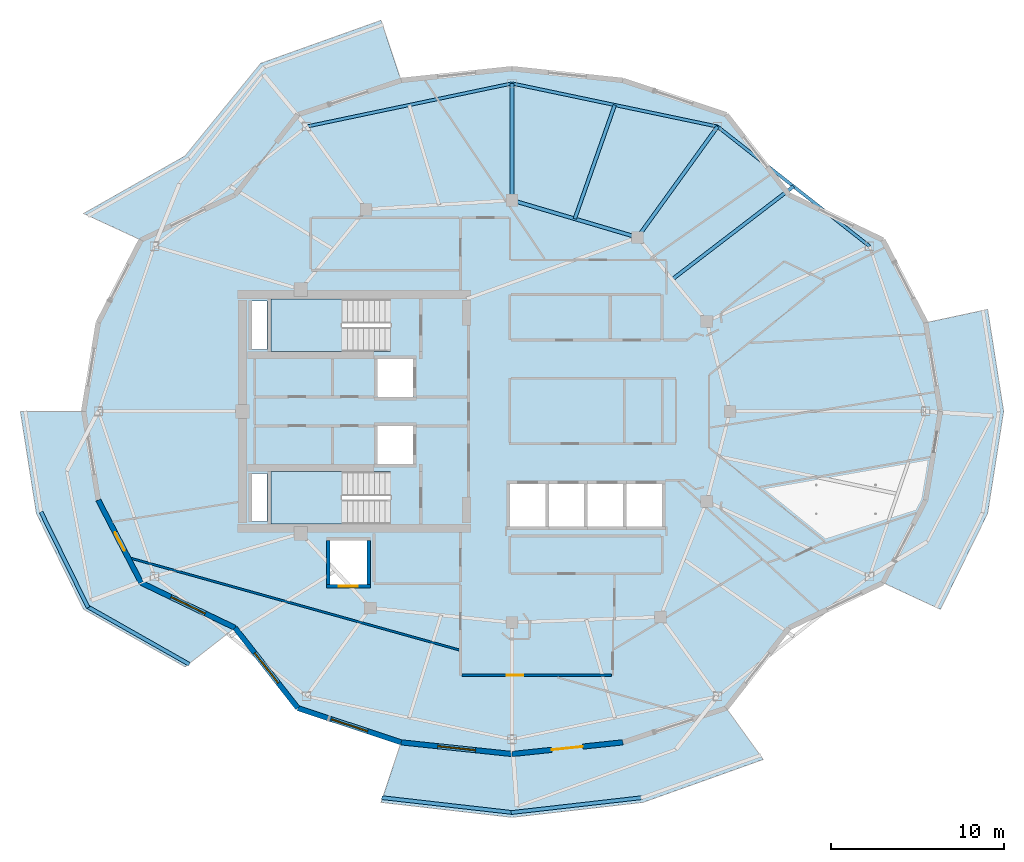
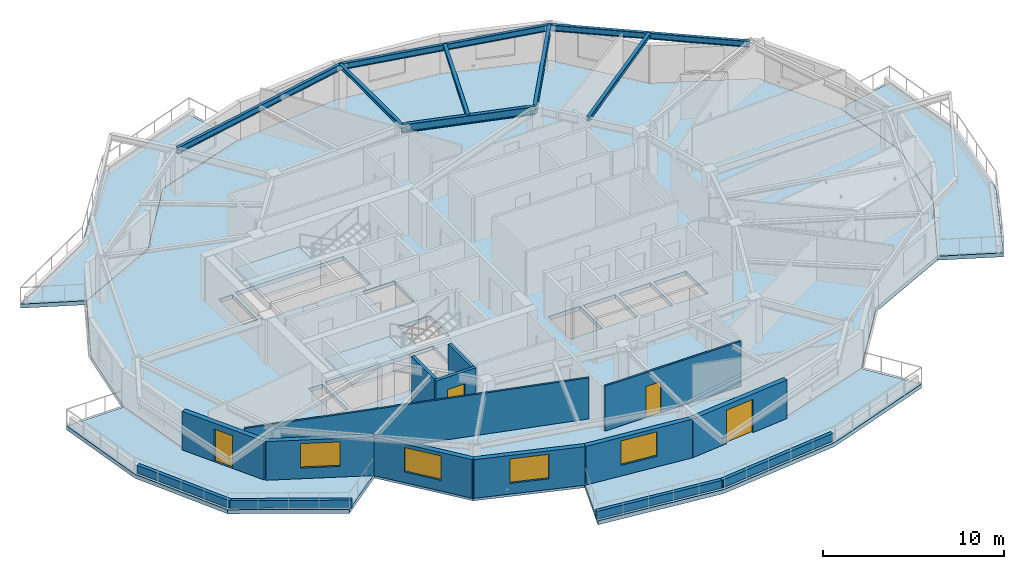
# One storey, part 2 of 14: 15 walls, 8 beams, 7 slabs, 4 doors, 4 windows, 8 openings, 2 elements without a shape of their own.
"""IFC4 building model written with IfcOpenShell, lengths in metres."""

import ifcopenshell
import ifcopenshell.guid

model = None  # the IFC model being written
_history = None  # IfcOwnerHistory: only IFC2X3 demands one
_inside = {}  # id of a spatial element -> (the spatial element, [elements in it])
_under = {}  # id of a project, library or spatial element -> (it, [spatial elements below it])
_declared = {}  # id of a project -> (the project, [libraries it declares])
_typed = {}  # id of a type object -> (the type object, [elements of that type])
_made_of = {}  # id of a material, layer set ... -> (it, [elements and type objects made of it])


def new_model(schema):
    """Start an empty IFC model of exactly this schema.

    Asked for "IFC4X3", IfcOpenShell would pick the latest addendum, in which some entities
    have other attributes; the version numbers below select the first issue.
    IFC2X3 requires an IfcOwnerHistory on every rooted entity: one is made here for all.
    """
    global model, _history
    if schema == "IFC4X3":
        model = ifcopenshell.file(schema_version=(4, 3, 0, 0))
    else:
        model = ifcopenshell.file(schema=schema)
    _inside.clear()
    _under.clear()
    _declared.clear()
    _typed.clear()
    _made_of.clear()
    _history = None
    if model.schema == "IFC2X3":
        org = make("IfcOrganization", Name="unknown")
        user = make(
            "IfcPersonAndOrganization",
            ThePerson=make("IfcPerson", FamilyName="unknown"),
            TheOrganization=org,
        )
        app = make(
            "IfcApplication",
            ApplicationDeveloper=org,
            Version="unknown",
            ApplicationFullName="unknown",
            ApplicationIdentifier="unknown",
        )
        _history = make(
            "IfcOwnerHistory",
            OwningUser=user,
            OwningApplication=app,
            ChangeAction="ADDED",
            CreationDate=0,
        )
    return model


def make(cls, **values):
    """One entity of the class cls with the attributes given. An attribute that is None is left unset."""
    return model.create_entity(
        cls, **{name: value for name, value in values.items() if value is not None}
    )


def rooted(cls, **values):
    """An entity with a GlobalId (a new one), such as an element, a storey or a relation."""
    return make(cls, GlobalId=ifcopenshell.guid.new(), OwnerHistory=_history, **values)


def si_unit(unit_type, name, prefix=None):
    """IfcSIUnit, for example si_unit("LENGTHUNIT", "METRE", prefix="MILLI")."""
    return make("IfcSIUnit", UnitType=unit_type, Prefix=prefix, Name=name)


def assignment(units):
    """IfcUnitAssignment: the units of a project."""
    return None if units is None else make("IfcUnitAssignment", Units=units)


def point(xyz):
    """IfcCartesianPoint."""
    return None if xyz is None else make("IfcCartesianPoint", Coordinates=xyz)


def direction(xyz):
    """IfcDirection."""
    return None if xyz is None else make("IfcDirection", DirectionRatios=xyz)


def frame(location, z_axis=None, x_axis=None):
    """IfcAxis2Placement3D, a coordinate frame: its origin and axes. An axis left out is left unset."""
    return make(
        "IfcAxis2Placement3D",
        Location=point(location),
        Axis=direction(z_axis),
        RefDirection=direction(x_axis),
    )


def frame_2d(location, x_axis=None):
    """IfcAxis2Placement2D, a coordinate frame in the plane: its origin and x axis."""
    return make(
        "IfcAxis2Placement2D", Location=point(location), RefDirection=direction(x_axis)
    )


def origin():
    """The frame at (0, 0, 0) with its axes left unset."""
    return frame((0.0, 0.0, 0.0))


def origin_2d():
    """The frame at (0, 0) in the plane with its x axis left unset."""
    return frame_2d((0.0, 0.0))


def place(relative_to, where):
    """IfcLocalPlacement: puts the frame where relative to a parent placement (None: the world)."""
    return make(
        "IfcLocalPlacement", PlacementRelTo=relative_to, RelativePlacement=where
    )


def context(
    kind, dimensions, precision=None, world=None, true_north=None, identifier=None
):
    """IfcGeometricRepresentationContext, for example the 3D "Model" context."""
    return make(
        "IfcGeometricRepresentationContext",
        ContextIdentifier=identifier,
        ContextType=kind,
        CoordinateSpaceDimension=dimensions,
        Precision=precision,
        WorldCoordinateSystem=world,
        TrueNorth=true_north,
    )


def subcontext(parent, identifier, kind, view, scale=None):
    """IfcGeometricRepresentationSubContext, for example "Body" below "Model"."""
    return make(
        "IfcGeometricRepresentationSubContext",
        ContextIdentifier=identifier,
        ContextType=kind,
        ParentContext=parent,
        TargetScale=scale,
        TargetView=view,
    )


def project(units=None, contexts=None):
    """IfcProject with its units and contexts."""
    return rooted(
        "IfcProject",
        Name="project",
        RepresentationContexts=contexts,
        UnitsInContext=assignment(units),
    )


def spatial(cls, under=None, at=None, **own):
    """A site, building, storey or space (cls), placed at a placement, below another one or the project."""
    s = rooted(cls, ObjectPlacement=at, **own)
    if under is not None:
        _under.setdefault(under.id(), (under, []))[1].append(s)
    return s


def polyline(points):
    """IfcPolyline through the points."""
    return make("IfcPolyline", Points=[point(p) for p in points])


def profile(cls, at=None, kind="AREA", **sizes):
    """A parametric profile (cls). Its sizes go by their IFC names, for example OverallWidth=200.0."""
    return make(cls, ProfileType=kind, Position=at, **sizes)


def rectangle(**sizes):
    """IfcRectangleProfileDef."""
    return profile("IfcRectangleProfileDef", **sizes)


def i_section(**sizes):
    """IfcIShapeProfileDef."""
    return profile("IfcIShapeProfileDef", **sizes)


def outline(outer, holes=None, kind="AREA"):
    """IfcArbitraryClosedProfileDef: a profile drawn as a closed curve; with holes, ...WithVoids."""
    if holes is None:
        return make("IfcArbitraryClosedProfileDef", ProfileType=kind, OuterCurve=outer)
    return make(
        "IfcArbitraryProfileDefWithVoids",
        ProfileType=kind,
        OuterCurve=outer,
        InnerCurves=holes,
    )


def extrude(swept, where, along, depth):
    """IfcExtrudedAreaSolid: the profile swept, set in the frame where, extruded along a direction by depth."""
    return make(
        "IfcExtrudedAreaSolid",
        SweptArea=swept,
        Position=where,
        ExtrudedDirection=direction(along),
        Depth=depth,
    )


def shape(context_of_items, identifier, shape_type, items):
    """IfcShapeRepresentation: the items that make up one representation, for example the "Body"."""
    return make(
        "IfcShapeRepresentation",
        ContextOfItems=context_of_items,
        RepresentationIdentifier=identifier,
        RepresentationType=shape_type,
        Items=items,
    )


def material(Name=None, Category=None):
    """IfcMaterial."""
    return make("IfcMaterial", Name=Name, Category=Category)


def layer(
    of_material, thickness, ventilated=None, Name=None, Category=None, Priority=None
):
    """IfcMaterialLayer: one layer of a wall or slab, of a material (None: an air gap)."""
    return make(
        "IfcMaterialLayer",
        Material=of_material,
        LayerThickness=thickness,
        IsVentilated=ventilated,
        Name=Name,
        Category=Category,
        Priority=Priority,
    )


def layer_set(layers, Name=None):
    """IfcMaterialLayerSet."""
    return make("IfcMaterialLayerSet", MaterialLayers=layers, LayerSetName=Name)


def material_profile(
    of_material, cross_section, Name=None, Category=None, Priority=None
):
    """IfcMaterialProfile: a cross section and its material."""
    return make(
        "IfcMaterialProfile",
        Name=Name,
        Material=of_material,
        Profile=cross_section,
        Priority=Priority,
        Category=Category,
    )


def profile_set(profiles, Name=None, composite=None):
    """IfcMaterialProfileSet."""
    return make(
        "IfcMaterialProfileSet",
        Name=Name,
        MaterialProfiles=profiles,
        CompositeProfile=composite,
    )


def made_of(thing, what):
    """Note that an element or type object is made of a material, layer set ...; save() writes the relation."""
    if what is not None:
        _made_of.setdefault(what.id(), (what, []))[1].append(thing)
    return thing


def type_object(cls, material=None, **own):
    """A type object (cls), such as IfcWallType, which elements share."""
    return made_of(rooted(cls, **own), material)


def element(
    cls,
    number,
    at=None,
    inside=None,
    cuts=None,
    type_object=None,
    material=None,
    context=None,
    identifier="Body",
    shape_type=None,
    held_by="IfcProductDefinitionShape",
    body=None,
    shapes=None,
    **own,
):
    """One element of the class cls, such as IfcWall. Its Tag is "e" and its number.

    at: its placement. inside: the storey or other place that contains it. cuts: it is an
    opening in that element (IfcRelVoidsElement). A single representation is given by context,
    identifier, shape_type and body (its items); several are given by shapes. held_by: the class
    of the entity that holds the representations. save() writes the other relations.
    """
    e = rooted(cls, Tag="e%d" % number, ObjectPlacement=at, **own)
    if body is not None:
        shapes = [shape(context, identifier, shape_type, body)]
    if shapes is not None:
        e.Representation = make(held_by, Representations=shapes)
    if inside is not None:
        _inside.setdefault(inside.id(), (inside, []))[1].append(e)
    if cuts is not None:
        rooted(
            "IfcRelVoidsElement", RelatingBuildingElement=cuts, RelatedOpeningElement=e
        )
    if type_object is not None:
        _typed.setdefault(type_object.id(), (type_object, []))[1].append(e)
    return made_of(e, material)


def fill(opening, filler):
    """IfcRelFillsElement: the door or window that sits in an opening."""
    return rooted(
        "IfcRelFillsElement",
        RelatingOpeningElement=opening,
        RelatedBuildingElement=filler,
    )


def aggregate(whole, parts):
    """IfcRelAggregates: a whole, such as a stair, and the parts it consists of."""
    return rooted("IfcRelAggregates", RelatingObject=whole, RelatedObjects=parts)


def save(model, path):
    """Write the relations noted so far, then the file.

    IfcRelAggregates (storeys below a building ...), IfcRelContainedInSpatialStructure (elements
    in a storey), IfcRelDefinesByType, IfcRelAssociatesMaterial and IfcRelDeclares: one each for
    every whole, place, type object, material and project.
    """
    for whole, parts in _under.values():
        aggregate(whole, parts)
    for where, things in _inside.values():
        rooted(
            "IfcRelContainedInSpatialStructure",
            RelatedElements=things,
            RelatingStructure=where,
        )
    for kind, things in _typed.values():
        rooted("IfcRelDefinesByType", RelatedObjects=things, RelatingType=kind)
    for what, things in _made_of.values():
        rooted("IfcRelAssociatesMaterial", RelatedObjects=things, RelatingMaterial=what)
    for by, libraries in _declared.values():
        rooted("IfcRelDeclares", RelatingContext=by, RelatedDefinitions=libraries)
    model.write(path)


model = new_model("IFC4")

# Units and contexts
model_context = context("Model", 3, precision=1e-05, world=origin(), true_north=direction((0.0, 1.0)))
body_context = subcontext(model_context, "Body", "Model", "MODEL_VIEW")
ifc_project = project(units=[si_unit("LENGTHUNIT", "METRE"), si_unit("AREAUNIT", "SQUARE_METRE"), si_unit("VOLUMEUNIT", "CUBIC_METRE"), si_unit("PLANEANGLEUNIT", "RADIAN"), si_unit("MASSUNIT", "GRAM", prefix="KILO")], contexts=[model_context])

# Site, building, storey
site_placement = place(None, origin())
site = spatial("IfcSite", under=ifc_project, at=site_placement, CompositionType="ELEMENT")
building_placement = place(site_placement, origin())
building = spatial("IfcBuilding", under=site, at=building_placement, Name="Kolvaren Gate Tower and Convention Centre", CompositionType="ELEMENT")
storey_placement = place(building_placement, frame((0.0, 0.0, 222.800048828125)))
storey = spatial("IfcBuildingStorey", under=building, at=storey_placement, Name="L59", CompositionType="ELEMENT", Elevation=222.800048828125)

# Beams
ifc_material_1 = material(Name="Structural steel ASTM A992 Grade 345 MPa", Category="steel")
ifc_material_profile_1 = material_profile(ifc_material_1, i_section(OverallWidth=0.2119140625, OverallDepth=0.5439453125, WebThickness=0.01318359375, FlangeThickness=0.021240234375, at=origin_2d()), Name="W530X123")
ifc_profile_set_1 = profile_set([ifc_material_profile_1], Name="Structural steel ASTM A992 Grade 345 MPa")
beam_type_1 = type_object("IfcBeamType", Name="STR-BM-W530X123", PredefinedType="BEAM", material=ifc_profile_set_1)
beam_1_placement = place(storey_placement, frame((37.381591796875, 37.054931640625, 2.758056640625), z_axis=(-0.958980837827, 0.283470902706, 0.0), x_axis=(-0.283470902706, -0.958980837827, 0.0)))
element("IfcBeam", 1, at=beam_1_placement, inside=storey, type_object=beam_type_1, Name="Tower L59 Primary Ring Girder G-03", PredefinedType="BEAM", context=body_context, shape_type="SweptSolid", body=[
    extrude(i_section(OverallWidth=0.2119140625, OverallDepth=0.5439453125, WebThickness=0.01318359375, FlangeThickness=0.021240234375, at=origin_2d()), origin(), (0.0, 0.0, 1.0), 7.56689453125),
])
beam_2_placement = place(storey_placement, frame((37.381591796875, 37.054931640625, 2.758056640625), z_axis=(0.585211694794, 0.810880553643, 0.0), x_axis=(-0.810880553643, 0.585211694794, 0.0)))
element("IfcBeam", 2, at=beam_2_placement, inside=storey, type_object=beam_type_1, Name="Tower L59 Radial Floor Girder RB-03", PredefinedType="BEAM", context=body_context, shape_type="SweptSolid", body=[
    extrude(i_section(OverallWidth=0.2119140625, OverallDepth=0.5439453125, WebThickness=0.01318359375, FlangeThickness=0.021240234375, at=origin_2d()), origin(), (0.0, 0.0, 1.0), 7.896484375),
])
ifc_material_profile_2 = material_profile(ifc_material_1, i_section(OverallWidth=0.202880859375, OverallDepth=0.251953125, WebThickness=0.008056640625, FlangeThickness=0.013427734375, at=origin_2d()), Name="W250X58")
ifc_profile_set_2 = profile_set([ifc_material_profile_2], Name="Structural steel ASTM A992 Grade 345 MPa")
beam_type_2 = type_object("IfcBeamType", Name="STR-JS-W250X58", PredefinedType="JOIST", material=ifc_profile_set_2)
beam_3_placement = place(storey_placement, frame((30.125, 39.199951171875, 2.904052734375), z_axis=(0.0, 1.0, 0.0), x_axis=(-1.0, 0.0, 0.0)))
element("IfcBeam", 3, at=beam_3_placement, inside=storey, type_object=beam_type_2, Name="Tower L59 Radial Floor Girder RB-04", PredefinedType="JOIST", context=body_context, shape_type="SweptSolid", body=[
    extrude(i_section(OverallWidth=0.202880859375, OverallDepth=0.251953125, WebThickness=0.008056640625, FlangeThickness=0.013427734375, at=origin_2d()), origin(), (0.0, 0.0, 1.0), 6.75),
])
beam_4_placement = place(storey_placement, frame((39.3818359375, 34.627197265625, 2.904052734375), z_axis=(0.793783340844, 0.608200631205, 0.0), x_axis=(-0.608200631205, 0.793783340844, 0.0)))
element("IfcBeam", 4, at=beam_4_placement, inside=storey, type_object=beam_type_2, Name="Tower L59 Secondary Composite Floor Joist J-02.1", PredefinedType="JOIST", context=body_context, shape_type="SweptSolid", body=[
    extrude(i_section(OverallWidth=0.202880859375, OverallDepth=0.251953125, WebThickness=0.008056640625, FlangeThickness=0.013427734375, at=origin_2d()), origin(), (0.0, 0.0, 1.0), 8.835205078125),
])
beam_5_placement = place(storey_placement, frame((33.75341796875, 38.12744140625, 2.904052734375), z_axis=(0.331432911821, 0.943478788824, 0.0), x_axis=(-0.943478788824, 0.331432911821, 0.0)))
element("IfcBeam", 5, at=beam_5_placement, inside=storey, type_object=beam_type_2, Name="Tower L59 Secondary Composite Floor Joist J-03.1", PredefinedType="JOIST", context=body_context, shape_type="SweptSolid", body=[
    extrude(i_section(OverallWidth=0.202880859375, OverallDepth=0.251953125, WebThickness=0.008056640625, FlangeThickness=0.013427734375, at=origin_2d()), origin(), (0.0, 0.0, 1.0), 6.970703125),
])
ifc_material_profile_3 = material_profile(ifc_material_1, i_section(OverallWidth=0.180908203125, OverallDepth=0.4169921875, WebThickness=0.010986328125, FlangeThickness=0.018310546875, at=origin_2d()), Name="W410X85")
ifc_profile_set_3 = profile_set([ifc_material_profile_3], Name="Structural steel ASTM A992 Grade 345 MPa")
beam_type_3 = type_object("IfcBeamType", Name="STR-SP-W410X85", PredefinedType="SPANDREL", material=ifc_profile_set_3)
beam_6_placement = place(storey_placement, frame((50.787353515625, 36.543701171875, 2.821533203125), z_axis=(-0.78579365551, 0.618488747643, 0.0), x_axis=(-0.618488747643, -0.78579365551, 0.0)))
element("IfcBeam", 6, at=beam_6_placement, inside=storey, type_object=beam_type_3, Name="Tower L59 Perimeter Spandrel Beam SP-02", PredefinedType="SPANDREL", context=body_context, shape_type="SweptSolid", body=[
    extrude(i_section(OverallWidth=0.180908203125, OverallDepth=0.4169921875, WebThickness=0.010986328125, FlangeThickness=0.018310546875, at=origin_2d()), origin(), (0.0, 0.0, 1.0), 11.179443359375),
])
for number, where, z_axis, x_axis, name in (
    (7, (42.002685546875, 43.4580078125, 2.821533203125), (-0.978692765917, 0.205330148645, 0.0), (-0.205330148645, -0.978692765917, 0.0), "Tower L59 Perimeter Spandrel Beam SP-03"),
    (8, (30.125, 45.949951171875, 2.821533203125), (-0.978692765917, -0.205330148645, 0.0), (0.205330148645, -0.978692765917, 0.0), "Tower L59 Perimeter Spandrel Beam SP-04"),
):
    element("IfcBeam", number, at=place(storey_placement, frame(where, z_axis=z_axis, x_axis=x_axis)), inside=storey, type_object=beam_type_3, Name=name, PredefinedType="SPANDREL", context=body_context, shape_type="SweptSolid", body=[
        extrude(i_section(OverallWidth=0.180908203125, OverallDepth=0.4169921875, WebThickness=0.010986328125, FlangeThickness=0.018310546875, at=origin_2d()), origin(), (0.0, 0.0, 1.0), 12.13623046875),
    ])

# Slabs
ifc_material_2 = material(Name="Concrete C50/60", Category="concrete")
ifc_layer_1 = layer(ifc_material_2, 0.27001953125)
ifc_layer_set_1 = layer_set([ifc_layer_1], Name="Concrete C50/60")
slab_type_1 = type_object("IfcSlabType", Name="STR-SL-BALC-270", PredefinedType="FLOOR", material=ifc_layer_set_1)
slab_1_placement = place(storey_placement, frame((0.0, 0.0, -0.27001953125)))
element("IfcSlab", 9, at=slab_1_placement, inside=storey, type_object=slab_type_1, Name="Tower L59 Planted Balcony Terrace Slab 1 (North)", PredefinedType="FLOOR", context=body_context, shape_type="SweptSolid", body=[
    extrude(outline(polyline([(23.71923828125, 46.125244140625), (17.75, 44.147216796875), (14.117431640625, 39.50732421875), (8.69091796875, 36.89990234375), (5.3681640625, 38.434814453125), (11.2333984375, 41.7607421875), (15.608154296875, 47.114990234375), (22.556884765625, 49.595703125), (23.71923828125, 46.125244140625)])), origin(), (0.0, 0.0, 1.0), 0.27001953125),
])
slab_2_placement = place(storey_placement, frame((0.0, 0.0, -0.27001953125)))
element("IfcSlab", 10, at=slab_2_placement, inside=storey, type_object=slab_type_1, Name="Tower L59 Planted Balcony Terrace Slab 2 (West)", PredefinedType="FLOOR", context=body_context, shape_type="SweptSolid", body=[
    extrude(outline(polyline([(5.375, 27.0), (6.21826171875, 21.87548828125), (8.69091796875, 17.10009765625), (14.117431640625, 14.49267578125), (11.2333984375, 12.2392578125), (5.3681640625, 15.565185546875), (2.6396484375, 21.1083984375), (1.715087890625, 27.0), (5.375, 27.0)])), origin(), (0.0, 0.0, 1.0), 0.27001953125),
])
slab_3_placement = place(storey_placement, frame((0.0, 0.0, -0.27001953125)))
element("IfcSlab", 11, at=slab_3_placement, inside=storey, type_object=slab_type_1, Name="Tower L59 Planted Balcony Terrace Slab 3 (South)", PredefinedType="FLOOR", context=body_context, shape_type="SweptSolid", body=[
    extrude(outline(polyline([(23.71923828125, 7.874755859375), (30.125, 7.199951171875), (36.53076171875, 7.874755859375), (42.5, 9.852783203125), (44.641845703125, 6.885009765625), (37.693115234375, 4.404296875), (30.125, 3.5400390625), (22.556884765625, 4.404296875), (23.71923828125, 7.874755859375)])), origin(), (0.0, 0.0, 1.0), 0.27001953125),
])
slab_4_placement = place(storey_placement, frame((0.0, 0.0, -0.27001953125)))
element("IfcSlab", 12, at=slab_4_placement, inside=storey, type_object=slab_type_1, Name="Tower L59 Planted Balcony Terrace Slab 4 (East)", PredefinedType="FLOOR", context=body_context, shape_type="SweptSolid", body=[
    extrude(outline(polyline([(51.55908203125, 17.10009765625), (54.03173828125, 21.87548828125), (54.875, 27.0), (54.03173828125, 32.12451171875), (57.6103515625, 32.8916015625), (58.534912109375, 27.0), (57.6103515625, 21.1083984375), (54.8818359375, 15.565185546875), (51.55908203125, 17.10009765625)])), origin(), (0.0, 0.0, 1.0), 0.27001953125),
])
ifc_material_3 = material(Name="Concrete C40/50", Category="concrete")
ifc_layer_2 = layer(ifc_material_3, 0.27001953125)
ifc_layer_set_2 = layer_set([ifc_layer_2], Name="Concrete C40/50")
slab_type_2 = type_object("IfcSlabType", Name="STR-SL-FLR-270", PredefinedType="FLOOR", material=ifc_layer_set_2)
slab_5_placement = place(storey_placement, frame((0.0, 0.0, -0.27001953125)))
element("IfcSlab", 13, at=slab_5_placement, inside=storey, type_object=slab_type_2, Name="Tower L59 Structural Floor Slab", PredefinedType="FLOOR", context=body_context, shape_type="SweptSolid", body=[
    extrude(outline(polyline([(54.875, 27.0), (54.03173828125, 32.12451171875), (51.55908203125, 36.89990234375), (46.132568359375, 39.50732421875), (42.5, 44.147216796875), (36.53076171875, 46.125244140625), (30.125, 46.800048828125), (23.71923828125, 46.125244140625), (17.75, 44.147216796875), (14.117431640625, 39.50732421875), (8.69091796875, 36.89990234375), (6.21826171875, 32.12451171875), (5.375, 27.0), (6.21826171875, 21.87548828125), (8.69091796875, 17.10009765625), (14.117431640625, 14.49267578125), (17.75, 9.852783203125), (23.71923828125, 7.874755859375), (30.125, 7.199951171875), (36.53076171875, 7.874755859375), (42.5, 9.852783203125), (46.132568359375, 14.49267578125), (51.55908203125, 17.10009765625), (54.03173828125, 21.87548828125), (54.875, 27.0)]), holes=[polyline([(36.75, 20.35009765625), (36.75, 22.800048828125), (38.800048828125, 22.800048828125), (38.800048828125, 20.35009765625), (36.75, 20.35009765625)]), polyline([(36.550048828125, 20.35009765625), (34.5, 20.35009765625), (34.5, 22.800048828125), (36.550048828125, 22.800048828125), (36.550048828125, 20.35009765625)]), polyline([(32.25, 20.35009765625), (32.25, 22.800048828125), (34.300048828125, 22.800048828125), (34.300048828125, 20.35009765625), (32.25, 20.35009765625)]), polyline([(30.0, 20.35009765625), (30.0, 22.800048828125), (32.050048828125, 22.800048828125), (32.050048828125, 20.35009765625), (30.0, 20.35009765625)]), polyline([(22.35009765625, 23.9599609375), (22.35009765625, 26.159912109375), (24.39990234375, 26.159912109375), (24.39990234375, 23.9599609375), (22.35009765625, 23.9599609375)]), polyline([(22.35009765625, 27.840087890625), (22.35009765625, 30.0400390625), (24.39990234375, 30.0400390625), (24.39990234375, 27.840087890625), (22.35009765625, 27.840087890625)]), polyline([(16.199951171875, 23.5400390625), (23.10009765625, 23.5400390625), (23.10009765625, 20.5), (16.199951171875, 20.5), (16.199951171875, 23.5400390625)]), polyline([(16.199951171875, 33.5), (23.10009765625, 33.5), (23.10009765625, 30.4599609375), (16.199951171875, 30.4599609375), (16.199951171875, 33.5)]), polyline([(21.75, 17.0), (19.60009765625, 17.0), (19.60009765625, 19.550048828125), (21.75, 19.550048828125), (21.75, 17.0)]), polyline([(15.080078125, 30.580078125), (15.080078125, 33.3701171875), (15.969970703125, 33.3701171875), (15.969970703125, 30.580078125), (15.080078125, 30.580078125)]), polyline([(15.969970703125, 20.6298828125), (15.080078125, 20.6298828125), (15.080078125, 23.419921875), (15.969970703125, 23.419921875), (15.969970703125, 20.6298828125)])]), origin(), (0.0, 0.0, 1.0), 0.27001953125),
])

# Stair, slab
stair_type = type_object("IfcStairType", Name="STR-STAIR-CORE", PredefinedType="HALF_TURN_STAIR", material=ifc_material_2)
stair_1_placement = place(storey_placement, origin())
stair_1 = element("IfcStair", 14, at=stair_1_placement, inside=storey, type_object=stair_type, Name="L59 Tower North Exit Stair ST-T1", PredefinedType="HALF_TURN_STAIR")
ifc_layer_3 = layer(ifc_material_2, 0.199951171875)
ifc_layer_set_3 = layer_set([ifc_layer_3], Name="Concrete C50/60")
slab_type_3 = type_object("IfcSlabType", Name="STR-SL-LAND-200", PredefinedType="LANDING", material=ifc_layer_set_3)
slab_6_placement = place(storey_placement, frame((0.0, 0.0, 1.449951171875)))
slab_6 = element("IfcSlab", 15, at=slab_6_placement, type_object=slab_type_3, Name="ST-T1 landing 1", PredefinedType="LANDING", context=body_context, shape_type="SweptSolid", body=[
    extrude(outline(polyline([(20.31005859375, 33.5), (16.199951171875, 33.5), (16.199951171875, 30.4599609375), (20.31005859375, 30.4599609375), (20.31005859375, 33.5)])), origin(), (0.0, 0.0, 1.0), 0.199951171875),
])
aggregate(stair_1, [slab_6])

stair_2_placement = place(storey_placement, origin())
stair_2 = element("IfcStair", 16, at=stair_2_placement, inside=storey, type_object=stair_type, Name="L59 Tower South Exit Stair ST-T2", PredefinedType="HALF_TURN_STAIR")
slab_7_placement = place(storey_placement, frame((0.0, 0.0, 1.449951171875)))
slab_7 = element("IfcSlab", 17, at=slab_7_placement, type_object=slab_type_3, Name="ST-T2 landing 1", PredefinedType="LANDING", context=body_context, shape_type="SweptSolid", body=[
    extrude(outline(polyline([(20.31005859375, 23.5400390625), (16.199951171875, 23.5400390625), (16.199951171875, 20.5), (20.31005859375, 20.5), (20.31005859375, 23.5400390625)])), origin(), (0.0, 0.0, 1.0), 0.199951171875),
])
aggregate(stair_2, [slab_7])

# Wall, opening, door
ifc_material_4 = material(Name="Fire-Rated Acoustic Gypsum Stud Partition", Category="gypsum")
ifc_layer_4 = layer(ifc_material_4, 0.1201171875)
ifc_layer_set_4 = layer_set([ifc_layer_4], Name="Fire-Rated Acoustic Gypsum Stud Partition")
wall_type_1 = type_object("IfcWallType", Name="ARCH-WL-PART-120", PredefinedType="PARTITIONING", material=ifc_layer_set_4)
wall_1_placement = place(storey_placement, frame((27.22705078125, 11.75, 0.0), z_axis=(0.0, 0.0, 1.0), x_axis=(1.0, 0.0, 0.0)))
wall_1 = element("IfcWall", 18, at=wall_1_placement, inside=storey, type_object=wall_type_1, Name="Interior Partition WL-L59-INT-051", PredefinedType="PARTITIONING", context=body_context, shape_type="SweptSolid", body=[
    extrude(rectangle(XDim=8.660888671875, YDim=0.1201171875, at=frame_2d((4.33056640625, 0.0))), origin(), (0.0, 0.0, 1.0), 3.030029296875),
])
opening_1_placement = place(wall_1_placement, frame((2.601806640625, 0.0, 0.0)))
opening_1 = element("IfcOpeningElement", 19, at=opening_1_placement, cuts=wall_1, Name="Opening DR-01", PredefinedType="OPENING", context=body_context, shape_type="SweptSolid", body=[
    extrude(rectangle(XDim=0.949951171875, YDim=2.10009765625, at=frame_2d((0.47509765625, 1.050048828125))), frame((0.0, 0.070068359375, 0.0), z_axis=(0.0, -1.0, 0.0), x_axis=(1.0, 0.0, 0.0)), (0.0, 0.0, 1.0), 0.14013671875),
])
ifc_material_5 = material(Name="Painted Architectural Steelwork ASTM A500 Grade C 345 MPa", Category="steel")
door_type_1 = type_object("IfcDoorType", Name="ARCH-DR-RISER-950", OperationType="SINGLE_SWING_RIGHT", PredefinedType="DOOR", material=ifc_material_5)
door_1_placement = place(opening_1_placement, origin())
door_1 = element("IfcDoor", 20, at=door_1_placement, inside=storey, type_object=door_type_1, Name="Resident Private Study and Home Office Door", OperationType="SINGLE_SWING_RIGHT", OverallHeight=2.10009765625, OverallWidth=0.949951171875, PredefinedType="DOOR", context=body_context, shape_type="SweptSolid", body=[
    extrude(rectangle(XDim=0.949951171875, YDim=2.10009765625, at=frame_2d((0.47509765625, 1.050048828125))), frame((0.0, 0.02490234375, 0.0), z_axis=(0.0, -1.0, 0.0), x_axis=(1.0, 0.0, 0.0)), (0.0, 0.0, 1.0), 0.050048828125),
])
fill(opening_1, door_1)

# Walls
wall_2_placement = place(storey_placement, frame((8.13525390625, 18.503662109375, 0.0), z_axis=(0.0, 0.0, 1.0), x_axis=(0.963142154711, -0.268992917785, 0.0)))
element("IfcWall", 21, at=wall_2_placement, inside=storey, type_object=wall_type_1, Name="Interior Partition WL-L59-INT-059", PredefinedType="PARTITIONING", context=body_context, shape_type="SweptSolid", body=[
    extrude(rectangle(XDim=19.662353515625, YDim=0.1201171875, at=frame_2d((9.8310546875, 0.0))), origin(), (0.0, 0.0, 1.0), 2.77001953125),
])
ifc_material_6 = material(Name="Piedmont Cream Honed Limestone Cladding", Category="masonry")
ifc_layer_5 = layer(ifc_material_6, 0.219970703125)
ifc_layer_set_5 = layer_set([ifc_layer_5], Name="Piedmont Cream Honed Limestone Cladding")
wall_type_2 = type_object("IfcWallType", Name="ARCH-WL-PLANTER-220", PredefinedType="PARAPET", material=ifc_layer_set_5)
wall_3_placement = place(storey_placement, frame((2.905517578125, 21.1962890625, 0.0), z_axis=(0.0, 0.0, 1.0), x_axis=(0.441640961804, -0.897191875162, 0.0)))
element("IfcWall", 22, at=wall_3_placement, inside=storey, type_object=wall_type_2, Name="Vertical-Forest Balcony Stone Planter Kerb PK-L59-2.2", PredefinedType="PARAPET", context=body_context, shape_type="SweptSolid", body=[
    extrude(rectangle(XDim=6.17822265625, YDim=0.219970703125, at=frame_2d((3.089111328125, 0.0))), origin(), (0.0, 0.0, 1.0), 0.52001953125),
])
wall_4_placement = place(storey_placement, frame((5.6083984375, 15.70947265625, 0.0), z_axis=(0.0, 0.0, 1.0), x_axis=(0.869860619267, -0.493297580623, 0.0)))
element("IfcWall", 23, at=wall_4_placement, inside=storey, type_object=wall_type_2, Name="Vertical-Forest Balcony Stone Planter Kerb PK-L59-2.3", PredefinedType="PARAPET", context=body_context, shape_type="SweptSolid", body=[
    extrude(rectangle(XDim=6.74267578125, YDim=0.219970703125, at=frame_2d((3.371337890625, 0.0))), origin(), (0.0, 0.0, 1.0), 0.52001953125),
])
for number, where, z_axis, x_axis, name in (
    (24, (22.602294921875, 4.680419921875, 0.0), (0.0, 0.0, 1.0), (0.993546198781, -0.113428175021, 0.0), "Vertical-Forest Balcony Stone Planter Kerb PK-L59-3.1"),
    (25, (30.07958984375, 3.81640625, 0.0), (0.0, 0.0, 1.0), (0.993546198781, 0.113428175021, 0.0), "Vertical-Forest Balcony Stone Planter Kerb PK-L59-3.2"),
):
    element("IfcWall", number, at=place(storey_placement, frame(where, z_axis=z_axis, x_axis=x_axis)), inside=storey, type_object=wall_type_2, Name=name, PredefinedType="PARAPET", context=body_context, shape_type="SweptSolid", body=[
        extrude(rectangle(XDim=7.6171875, YDim=0.219970703125, at=frame_2d((3.80859375, 0.0))), origin(), (0.0, 0.0, 1.0), 0.52001953125),
    ])

# Wall, opening, door
ifc_material_7 = material(Name="Autoclaved Aerated Masonry Blockwork Class 4 (4.0 MPa)", Category="masonry")
ifc_layer_6 = layer(ifc_material_7, 0.199951171875)
ifc_layer_set_6 = layer_set([ifc_layer_6], Name="Autoclaved Aerated Masonry Blockwork Class 4 (4.0 MPa)")
wall_type_3 = type_object("IfcWallType", Name="ARCH-WL-SHAFT-200", PredefinedType="SOLIDWALL", material=ifc_layer_set_6)
wall_5_placement = place(storey_placement, frame((19.39990234375, 16.89990234375, 0.0), z_axis=(0.0, 0.0, 1.0), x_axis=(1.0, 0.0, 0.0)))
wall_5 = element("IfcWall", 26, at=wall_5_placement, inside=storey, type_object=wall_type_3, Name="Elevator SV-01 L59 Fire Shaft Wall S", PredefinedType="SOLIDWALL", context=body_context, shape_type="SweptSolid", body=[
    extrude(rectangle(XDim=2.550048828125, YDim=0.199951171875, at=frame_2d((1.27490234375, 0.0))), origin(), (0.0, 0.0, 1.0), 3.030029296875),
])
opening_2_placement = place(wall_5_placement, frame((0.72509765625, 0.0, 0.0)))
opening_2 = element("IfcOpeningElement", 27, at=opening_2_placement, cuts=wall_5, Name="Opening LD", PredefinedType="OPENING", context=body_context, shape_type="SweptSolid", body=[
    extrude(rectangle(XDim=1.10009765625, YDim=2.199951171875, at=frame_2d((0.550048828125, 1.10009765625))), frame((0.0, 0.10986328125, 0.0), z_axis=(0.0, -1.0, 0.0), x_axis=(1.0, 0.0, 0.0)), (0.0, 0.0, 1.0), 0.219970703125),
])
ifc_material_8 = material(Name="Brushed Stainless Steel Grade 316L", Category="steel")
door_type_2 = type_object("IfcDoorType", Name="ARCH-DR-LIFT-1100", OperationType="SLIDING_TO_LEFT", PredefinedType="DOOR", material=ifc_material_8)
door_2_placement = place(opening_2_placement, origin())
door_2 = element("IfcDoor", 28, at=door_2_placement, inside=storey, type_object=door_type_2, Name="Elevator SV-01 L59 Sliding Landing Door", OperationType="SLIDING_TO_LEFT", OverallHeight=2.199951171875, OverallWidth=1.10009765625, PredefinedType="DOOR", context=body_context, shape_type="SweptSolid", body=[
    extrude(rectangle(XDim=1.10009765625, YDim=2.199951171875, at=frame_2d((0.550048828125, 1.10009765625))), frame((0.0, 0.02490234375, 0.0), z_axis=(0.0, -1.0, 0.0), x_axis=(1.0, 0.0, 0.0)), (0.0, 0.0, 1.0), 0.050048828125),
])
fill(opening_2, door_2)

# Walls
for number, where, z_axis, x_axis, name in (
    (29, (19.5, 17.010009765625, 0.0), (0.0, 0.0, 1.0), (0.0, 1.0, 0.0), "Elevator SV-01 L59 Fire Shaft Wall W"),
    (30, (21.85009765625, 17.010009765625, 0.0), (0.0, 0.0, 1.0), (0.0, 1.0, 0.0), "Elevator SV-01 L59 Fire Shaft Wall E"),
):
    element("IfcWall", number, at=place(storey_placement, frame(where, z_axis=z_axis, x_axis=x_axis)), inside=storey, type_object=wall_type_3, Name=name, PredefinedType="SOLIDWALL", context=body_context, shape_type="SweptSolid", body=[
        extrude(rectangle(XDim=2.530029296875, YDim=0.199951171875, at=frame_2d((1.26513671875, 0.0))), origin(), (0.0, 0.0, 1.0), 3.030029296875),
    ])

# Wall, opening, door
ifc_layer_7 = layer(ifc_material_6, 0.300048828125)
ifc_layer_set_7 = layer_set([ifc_layer_7], Name="Piedmont Cream Honed Limestone Cladding")
wall_type_4 = type_object("IfcWallType", Name="ARCH-WL-STONE-300", PredefinedType="SOLIDWALL", material=ifc_layer_set_7)
wall_6_placement = place(storey_placement, frame((6.21826171875, 21.87548828125, 0.0), z_axis=(0.0, 0.0, 1.0), x_axis=(0.459808219482, -0.888018243786, 0.0)))
wall_6 = element("IfcWall", 31, at=wall_6_placement, inside=storey, type_object=wall_type_4, Name="Tower L59 Honed Stone Spandrel Wall EW-13", PredefinedType="SOLIDWALL", context=body_context, shape_type="SweptSolid", body=[
    extrude(rectangle(XDim=5.377685546875, YDim=0.300048828125, at=frame_2d((2.68896484375, 0.0))), origin(), (0.0, 0.0, 1.0), 2.60498046875),
])
opening_3_placement = place(wall_6_placement, frame((2.10009765625, 0.0, 0.0)))
opening_3 = element("IfcOpeningElement", 32, at=opening_3_placement, cuts=wall_6, Name="Opening DB-02", PredefinedType="OPENING", context=body_context, shape_type="SweptSolid", body=[
    extrude(rectangle(XDim=1.199951171875, YDim=2.199951171875, at=frame_2d((0.60009765625, 1.10009765625))), frame((0.0, 0.159912109375, 0.0), z_axis=(0.0, -1.0, 0.0), x_axis=(1.0, 0.0, 0.0)), (0.0, 0.0, 1.0), 0.320068359375),
])
ifc_material_9 = material(Name="Anodized Architectural Aluminium Alloy 6063-T6", Category="aluminium")
door_type_3 = type_object("IfcDoorType", Name="ARCH-DR-BALC-1200", OperationType="NOTDEFINED", PredefinedType="DOOR", material=ifc_material_9)
door_3_placement = place(opening_3_placement, frame((1.199951171875, 0.0, 0.0), z_axis=(0.0, 0.0, 1.0), x_axis=(-1.0, 0.0, 0.0)))
door_3 = element("IfcDoor", 33, at=door_3_placement, inside=storey, type_object=door_type_3, Name="Planted Sky Terrace Access Door DB-L59-13", OperationType="SLIDING_TO_LEFT", OverallHeight=2.199951171875, OverallWidth=1.199951171875, PredefinedType="DOOR", context=body_context, shape_type="SweptSolid", body=[
    extrude(rectangle(XDim=1.199951171875, YDim=2.199951171875, at=frame_2d((0.60009765625, 1.10009765625))), frame((0.0, 0.02490234375, 0.0), z_axis=(0.0, -1.0, 0.0), x_axis=(1.0, 0.0, 0.0)), (0.0, 0.0, 1.0), 0.050048828125),
])
fill(opening_3, door_3)

# Wall, opening, window
wall_7_placement = place(storey_placement, frame((8.69091796875, 17.10009765625, 0.0), z_axis=(0.0, 0.0, 1.0), x_axis=(0.901348331142, -0.433094892545, 0.0)))
wall_7 = element("IfcWall", 34, at=wall_7_placement, inside=storey, type_object=wall_type_4, Name="Tower L59 Honed Stone Spandrel Wall EW-14", PredefinedType="SOLIDWALL", context=body_context, shape_type="SweptSolid", body=[
    extrude(rectangle(XDim=6.0205078125, YDim=0.300048828125, at=frame_2d((3.01025390625, 0.0))), origin(), (0.0, 0.0, 1.0), 2.60498046875),
])
opening_4_placement = place(wall_7_placement, frame((1.909912109375, 0.0, 0.719970703125)))
opening_4 = element("IfcOpeningElement", 35, at=opening_4_placement, cuts=wall_7, Name="Opening W-03", PredefinedType="OPENING", context=body_context, shape_type="SweptSolid", body=[
    extrude(rectangle(XDim=2.199951171875, YDim=1.64990234375, at=frame_2d((1.10009765625, 0.824951171875))), frame((0.0, 0.159912109375, 0.0), z_axis=(0.0, -1.0, 0.0), x_axis=(1.0, 0.0, 0.0)), (0.0, 0.0, 1.0), 0.320068359375),
])
ifc_material_10 = material(Name="Low-E Triple Insulated Glazing Unit 44 mm", Category="glass")
window_type = type_object("IfcWindowType", Name="ARCH-WN-RES-2200", PartitioningType="SINGLE_PANEL", PredefinedType="WINDOW", material=ifc_material_10)
window_1_placement = place(opening_4_placement, origin())
window_1 = element("IfcWindow", 36, at=window_1_placement, inside=storey, type_object=window_type, Name="Tower L59 Punched Stone Facade Window W-14", OverallHeight=1.64990234375, OverallWidth=2.199951171875, PartitioningType="SINGLE_PANEL", PredefinedType="WINDOW", context=body_context, shape_type="SweptSolid", body=[
    extrude(rectangle(XDim=2.199951171875, YDim=1.64990234375, at=frame_2d((1.10009765625, 0.824951171875))), frame((0.0, 0.030029296875, 0.0), z_axis=(0.0, -1.0, 0.0), x_axis=(1.0, 0.0, 0.0)), (0.0, 0.0, 1.0), 0.06005859375),
])
fill(opening_4, window_1)

wall_8_placement = place(storey_placement, frame((14.117431640625, 14.49267578125, 0.0), z_axis=(0.0, 0.0, 1.0), x_axis=(0.616450126935, -0.787393955401, 0.0)))
wall_8 = element("IfcWall", 37, at=wall_8_placement, inside=storey, type_object=wall_type_4, Name="Tower L59 Honed Stone Spandrel Wall EW-15", PredefinedType="SOLIDWALL", context=body_context, shape_type="SweptSolid", body=[
    extrude(rectangle(XDim=5.892822265625, YDim=0.300048828125, at=frame_2d((2.9462890625, 0.0))), origin(), (0.0, 0.0, 1.0), 2.60498046875),
])
opening_5_placement = place(wall_8_placement, frame((1.845947265625, 0.0, 0.719970703125)))
opening_5 = element("IfcOpeningElement", 38, at=opening_5_placement, cuts=wall_8, Name="Opening W-03", PredefinedType="OPENING", context=body_context, shape_type="SweptSolid", body=[
    extrude(rectangle(XDim=2.199951171875, YDim=1.64990234375, at=frame_2d((1.10009765625, 0.824951171875))), frame((0.0, 0.159912109375, 0.0), z_axis=(0.0, -1.0, 0.0), x_axis=(1.0, 0.0, 0.0)), (0.0, 0.0, 1.0), 0.320068359375),
])
window_2_placement = place(opening_5_placement, origin())
window_2 = element("IfcWindow", 39, at=window_2_placement, inside=storey, type_object=window_type, Name="Tower L59 Punched Stone Facade Window W-15", OverallHeight=1.64990234375, OverallWidth=2.199951171875, PartitioningType="SINGLE_PANEL", PredefinedType="WINDOW", context=body_context, shape_type="SweptSolid", body=[
    extrude(rectangle(XDim=2.199951171875, YDim=1.64990234375, at=frame_2d((1.10009765625, 0.824951171875))), frame((0.0, 0.030029296875, 0.0), z_axis=(0.0, -1.0, 0.0), x_axis=(1.0, 0.0, 0.0)), (0.0, 0.0, 1.0), 0.06005859375),
])
fill(opening_5, window_2)

wall_9_placement = place(storey_placement, frame((17.75, 9.852783203125, 0.0), z_axis=(0.0, 0.0, 1.0), x_axis=(0.949240877604, -0.314550085495, 0.0)))
wall_9 = element("IfcWall", 40, at=wall_9_placement, inside=storey, type_object=wall_type_4, Name="Tower L59 Honed Stone Spandrel Wall EW-16", PredefinedType="SOLIDWALL", context=body_context, shape_type="SweptSolid", body=[
    extrude(rectangle(XDim=6.288330078125, YDim=0.300048828125, at=frame_2d((3.14404296875, 0.0))), origin(), (0.0, 0.0, 1.0), 2.60498046875),
])
opening_6_placement = place(wall_9_placement, frame((2.0439453125, 0.0, 0.719970703125)))
opening_6 = element("IfcOpeningElement", 41, at=opening_6_placement, cuts=wall_9, Name="Opening W-03", PredefinedType="OPENING", context=body_context, shape_type="SweptSolid", body=[
    extrude(rectangle(XDim=2.199951171875, YDim=1.64990234375, at=frame_2d((1.10009765625, 0.824951171875))), frame((0.0, 0.159912109375, 0.0), z_axis=(0.0, -1.0, 0.0), x_axis=(1.0, 0.0, 0.0)), (0.0, 0.0, 1.0), 0.320068359375),
])
window_3_placement = place(opening_6_placement, origin())
window_3 = element("IfcWindow", 42, at=window_3_placement, inside=storey, type_object=window_type, Name="Tower L59 Punched Stone Facade Window W-16", OverallHeight=1.64990234375, OverallWidth=2.199951171875, PartitioningType="SINGLE_PANEL", PredefinedType="WINDOW", context=body_context, shape_type="SweptSolid", body=[
    extrude(rectangle(XDim=2.199951171875, YDim=1.64990234375, at=frame_2d((1.10009765625, 0.824951171875))), frame((0.0, 0.030029296875, 0.0), z_axis=(0.0, -1.0, 0.0), x_axis=(1.0, 0.0, 0.0)), (0.0, 0.0, 1.0), 0.06005859375),
])
fill(opening_6, window_3)

wall_10_placement = place(storey_placement, frame((23.71923828125, 7.874755859375, 0.0), z_axis=(0.0, 0.0, 1.0), x_axis=(0.994497142298, -0.104763705363, 0.0)))
wall_10 = element("IfcWall", 43, at=wall_10_placement, inside=storey, type_object=wall_type_4, Name="Tower L59 Honed Stone Spandrel Wall EW-17", PredefinedType="SOLIDWALL", context=body_context, shape_type="SweptSolid", body=[
    extrude(rectangle(XDim=6.441162109375, YDim=0.300048828125, at=frame_2d((3.220703125, 0.0))), origin(), (0.0, 0.0, 1.0), 2.60498046875),
])
opening_7_placement = place(wall_10_placement, frame((2.12109375, 0.0, 0.719970703125)))
opening_7 = element("IfcOpeningElement", 44, at=opening_7_placement, cuts=wall_10, Name="Opening W-03", PredefinedType="OPENING", context=body_context, shape_type="SweptSolid", body=[
    extrude(rectangle(XDim=2.199951171875, YDim=1.64990234375, at=frame_2d((1.10009765625, 0.824951171875))), frame((0.0, 0.159912109375, 0.0), z_axis=(0.0, -1.0, 0.0), x_axis=(1.0, 0.0, 0.0)), (0.0, 0.0, 1.0), 0.320068359375),
])
window_4_placement = place(opening_7_placement, origin())
window_4 = element("IfcWindow", 45, at=window_4_placement, inside=storey, type_object=window_type, Name="Tower L59 Punched Stone Facade Window W-17", OverallHeight=1.64990234375, OverallWidth=2.199951171875, PartitioningType="SINGLE_PANEL", PredefinedType="WINDOW", context=body_context, shape_type="SweptSolid", body=[
    extrude(rectangle(XDim=2.199951171875, YDim=1.64990234375, at=frame_2d((1.10009765625, 0.824951171875))), frame((0.0, 0.030029296875, 0.0), z_axis=(0.0, -1.0, 0.0), x_axis=(1.0, 0.0, 0.0)), (0.0, 0.0, 1.0), 0.06005859375),
])
fill(opening_7, window_4)

# Wall, opening, door
wall_11_placement = place(storey_placement, frame((30.125, 7.199951171875, 0.0), z_axis=(0.0, 0.0, 1.0), x_axis=(0.994497142298, 0.104763705363, 0.0)))
wall_11 = element("IfcWall", 46, at=wall_11_placement, inside=storey, type_object=wall_type_4, Name="Tower L59 Honed Stone Spandrel Wall EW-18", PredefinedType="SOLIDWALL", context=body_context, shape_type="SweptSolid", body=[
    extrude(rectangle(XDim=6.441162109375, YDim=0.300048828125, at=frame_2d((3.220703125, 0.0))), origin(), (0.0, 0.0, 1.0), 2.60498046875),
])
opening_8_placement = place(wall_11_placement, frame((2.321044921875, 0.0, 0.0)))
opening_8 = element("IfcOpeningElement", 47, at=opening_8_placement, cuts=wall_11, Name="Opening DB-01", PredefinedType="OPENING", context=body_context, shape_type="SweptSolid", body=[
    extrude(rectangle(XDim=1.800048828125, YDim=2.25, at=frame_2d((0.89990234375, 1.125))), frame((0.0, 0.159912109375, 0.0), z_axis=(0.0, -1.0, 0.0), x_axis=(1.0, 0.0, 0.0)), (0.0, 0.0, 1.0), 0.320068359375),
])
door_type_4 = type_object("IfcDoorType", Name="ARCH-DR-BALC-1800", OperationType="SLIDING_TO_LEFT", PredefinedType="DOOR", material=ifc_material_9)
door_4_placement = place(opening_8_placement, frame((1.800048828125, 0.0, 0.0), z_axis=(0.0, 0.0, 1.0), x_axis=(-1.0, 0.0, 0.0)))
door_4 = element("IfcDoor", 48, at=door_4_placement, inside=storey, type_object=door_type_4, Name="Planted Sky Terrace Access Door DB-L59-18", OperationType="SLIDING_TO_LEFT", OverallHeight=2.25, OverallWidth=1.800048828125, PredefinedType="DOOR", context=body_context, shape_type="SweptSolid", body=[
    extrude(rectangle(XDim=1.800048828125, YDim=2.25, at=frame_2d((0.89990234375, 1.125))), frame((0.0, 0.02490234375, 0.0), z_axis=(0.0, -1.0, 0.0), x_axis=(1.0, 0.0, 0.0)), (0.0, 0.0, 1.0), 0.050048828125),
])
fill(opening_8, door_4)

save(model, "model.ifc")
